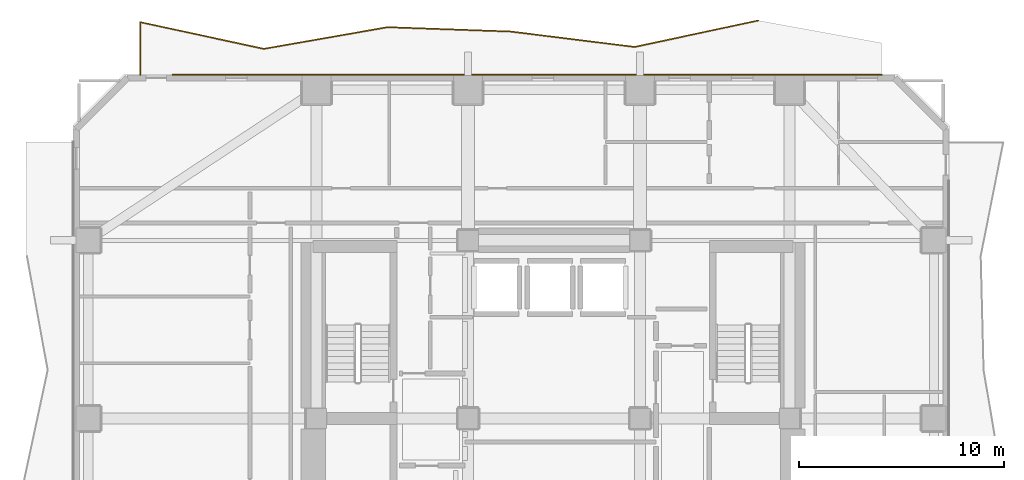
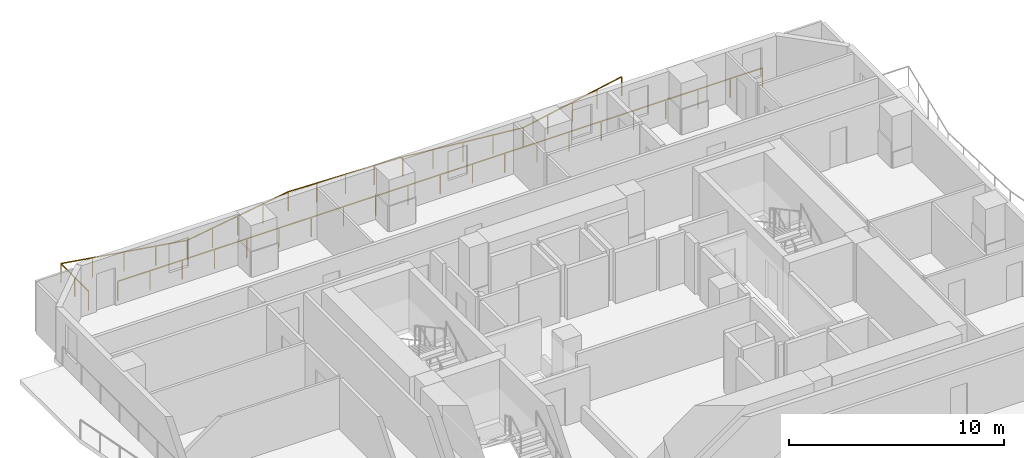
# One storey, part 10 of 10: 2 railings.
"""IFC4 building model written with IfcOpenShell, lengths in metres."""

from ifc_helpers import new_model, si_unit, direction, frame, origin, origin_2d, place, context, subcontext, project, spatial, rectangle, extrude, material, type_object, element, save


model = new_model("IFC4")

# Units and contexts
model_context = context("Model", 3, precision=1e-05, world=origin(), true_north=direction((0.0, 1.0)))
body_context = subcontext(model_context, "Body", "Model", "MODEL_VIEW")
ifc_project = project(units=[si_unit("LENGTHUNIT", "METRE"), si_unit("AREAUNIT", "SQUARE_METRE"), si_unit("VOLUMEUNIT", "CUBIC_METRE"), si_unit("PLANEANGLEUNIT", "RADIAN"), si_unit("MASSUNIT", "GRAM", prefix="KILO")], contexts=[model_context])

# Site, building, storey
site_placement = place(None, origin())
site = spatial("IfcSite", under=ifc_project, at=site_placement, CompositionType="ELEMENT")
building_placement = place(site_placement, origin())
building = spatial("IfcBuilding", under=site, at=building_placement, Name="Solanera Arch Residences", CompositionType="ELEMENT")
storey_placement = place(building_placement, frame((0.0, 0.0, 38.60009765625)))
storey = spatial("IfcBuildingStorey", under=building, at=storey_placement, Name="L10", CompositionType="ELEMENT", Elevation=38.60009765625)

# Railings
ifc_material = material(Name="Steel S355 (ASTM A992 / A572 Grade 50)", Category="steel")
railing_type = type_object("IfcRailingType", Name="Balustrade Railing BL-1100", PredefinedType="BALUSTRADE", material=ifc_material)
railing_1_placement = place(storey_placement, frame((34.967041015625, 50.135986328125, 0.0)))
element("IfcRailing", 1, at=railing_1_placement, inside=storey, type_object=railing_type, Name="L10 N Balcony Balustrade 1", PredefinedType="BALUSTRADE", context=body_context, shape_type="SweptSolid", body=[
    extrude(rectangle(XDim=0.048095703125, YDim=0.048095703125, at=origin_2d()), frame((0.0, 0.0, 1.09619140625), z_axis=(-0.977867794665, -0.209223746639, 0.0), x_axis=(0.209223746639, -0.977867794665, 0.0)), (0.0, 0.0, 1.0), 6.17041015625),
    extrude(rectangle(XDim=0.048095703125, YDim=0.048095703125, at=origin_2d()), frame((-6.033935546875, -1.291015625, 1.09619140625), z_axis=(-0.99232229283, 0.123678887258, 0.0), x_axis=(-0.123678887258, -0.99232229283, 0.0)), (0.0, 0.0, 1.0), 6.079833984375),
    extrude(rectangle(XDim=0.048095703125, YDim=0.048095703125, at=origin_2d()), frame((-12.067138671875, -0.5390625, 1.09619140625), z_axis=(-0.999370814766, 0.03546793754, 0.0), x_axis=(-0.03546793754, -0.999370814766, 0.0)), (0.0, 0.0, 1.0), 6.036865234375),
    extrude(rectangle(XDim=0.048095703125, YDim=0.048095703125, at=origin_2d()), frame((-18.10009765625, -0.324951171875, 1.09619140625), z_axis=(-0.98494321787, -0.172878158168, 0.0), x_axis=(0.172878158168, -0.98494321787, 0.0)), (0.0, 0.0, 1.0), 6.126220703125),
    extrude(rectangle(XDim=0.048095703125, YDim=0.048095703125, at=origin_2d()), frame((-24.134033203125, -1.384033203125, 1.09619140625), z_axis=(-0.977462501117, 0.211109116121, 0.0), x_axis=(-0.211109116121, -0.977462501117, 0.0)), (0.0, 0.0, 1.0), 6.172119140625),
    extrude(rectangle(XDim=0.048095703125, YDim=0.048095703125, at=origin_2d()), frame((-30.1669921875, -0.0810546875, 1.09619140625), z_axis=(0.0, -1.0, 0.0), x_axis=(1.0, 0.0, 0.0)), (0.0, 0.0, 1.0), 2.574951171875),
    extrude(rectangle(XDim=0.0419921875, YDim=0.0419921875, at=origin_2d()), origin(), (0.0, 0.0, 1.0), 1.072021484375),
    extrude(rectangle(XDim=0.0419921875, YDim=0.0419921875, at=origin_2d()), frame((-1.508544921875, -0.32275390625, 0.0)), (0.0, 0.0, 1.0), 1.072021484375),
    extrude(rectangle(XDim=0.0419921875, YDim=0.0419921875, at=origin_2d()), frame((-3.01708984375, -0.6455078125, 0.0)), (0.0, 0.0, 1.0), 1.072021484375),
    extrude(rectangle(XDim=0.0419921875, YDim=0.0419921875, at=origin_2d()), frame((-4.525390625, -0.96826171875, 0.0)), (0.0, 0.0, 1.0), 1.072021484375),
    extrude(rectangle(XDim=0.0419921875, YDim=0.0419921875, at=origin_2d()), frame((-6.033935546875, -1.291015625, 0.0)), (0.0, 0.0, 1.0), 1.072021484375),
    extrude(rectangle(XDim=0.0419921875, YDim=0.0419921875, at=origin_2d()), frame((-7.542236328125, -1.10302734375, 0.0)), (0.0, 0.0, 1.0), 1.072021484375),
    extrude(rectangle(XDim=0.0419921875, YDim=0.0419921875, at=origin_2d()), frame((-9.050537109375, -0.9150390625, 0.0)), (0.0, 0.0, 1.0), 1.072021484375),
    extrude(rectangle(XDim=0.0419921875, YDim=0.0419921875, at=origin_2d()), frame((-10.558837890625, -0.72705078125, 0.0)), (0.0, 0.0, 1.0), 1.072021484375),
    extrude(rectangle(XDim=0.0419921875, YDim=0.0419921875, at=origin_2d()), frame((-12.067138671875, -0.5390625, 0.0)), (0.0, 0.0, 1.0), 1.072021484375),
    extrude(rectangle(XDim=0.0419921875, YDim=0.0419921875, at=origin_2d()), frame((-13.575439453125, -0.485595703125, 0.0)), (0.0, 0.0, 1.0), 1.072021484375),
    extrude(rectangle(XDim=0.0419921875, YDim=0.0419921875, at=origin_2d()), frame((-15.08349609375, -0.43212890625, 0.0)), (0.0, 0.0, 1.0), 1.072021484375),
    extrude(rectangle(XDim=0.0419921875, YDim=0.0419921875, at=origin_2d()), frame((-16.591796875, -0.37841796875, 0.0)), (0.0, 0.0, 1.0), 1.072021484375),
    extrude(rectangle(XDim=0.0419921875, YDim=0.0419921875, at=origin_2d()), frame((-18.10009765625, -0.324951171875, 0.0)), (0.0, 0.0, 1.0), 1.072021484375),
    extrude(rectangle(XDim=0.0419921875, YDim=0.0419921875, at=origin_2d()), frame((-19.608642578125, -0.58984375, 0.0)), (0.0, 0.0, 1.0), 1.072021484375),
    extrude(rectangle(XDim=0.0419921875, YDim=0.0419921875, at=origin_2d()), frame((-21.1171875, -0.8544921875, 0.0)), (0.0, 0.0, 1.0), 1.072021484375),
    extrude(rectangle(XDim=0.0419921875, YDim=0.0419921875, at=origin_2d()), frame((-22.62548828125, -1.119140625, 0.0)), (0.0, 0.0, 1.0), 1.072021484375),
    extrude(rectangle(XDim=0.0419921875, YDim=0.0419921875, at=origin_2d()), frame((-24.134033203125, -1.384033203125, 0.0)), (0.0, 0.0, 1.0), 1.072021484375),
    extrude(rectangle(XDim=0.0419921875, YDim=0.0419921875, at=origin_2d()), frame((-25.642333984375, -1.058349609375, 0.0)), (0.0, 0.0, 1.0), 1.072021484375),
    extrude(rectangle(XDim=0.0419921875, YDim=0.0419921875, at=origin_2d()), frame((-27.150390625, -0.732421875, 0.0)), (0.0, 0.0, 1.0), 1.072021484375),
    extrude(rectangle(XDim=0.0419921875, YDim=0.0419921875, at=origin_2d()), frame((-28.65869140625, -0.40673828125, 0.0)), (0.0, 0.0, 1.0), 1.072021484375),
    extrude(rectangle(XDim=0.0419921875, YDim=0.0419921875, at=origin_2d()), frame((-30.1669921875, -0.0810546875, 0.0)), (0.0, 0.0, 1.0), 1.072021484375),
    extrude(rectangle(XDim=0.0419921875, YDim=0.0419921875, at=origin_2d()), frame((-30.1669921875, -1.36865234375, 0.0)), (0.0, 0.0, 1.0), 1.072021484375),
    extrude(rectangle(XDim=0.0419921875, YDim=0.0419921875, at=origin_2d()), frame((-30.1669921875, -2.656005859375, 0.0)), (0.0, 0.0, 1.0), 1.072021484375),
])
railing_2_placement = place(storey_placement, frame((6.365966796875, 47.47998046875, 0.0)))
element("IfcRailing", 2, at=railing_2_placement, inside=storey, type_object=railing_type, Name="L10 N Balcony Balustrade 2", PredefinedType="BALUSTRADE", context=body_context, shape_type="SweptSolid", body=[
    extrude(rectangle(XDim=0.048095703125, YDim=0.048095703125, at=origin_2d()), frame((0.0, 0.0, 1.09619140625), z_axis=(1.0, 0.0, 0.0), x_axis=(0.0, 1.0, 0.0)), (0.0, 0.0, 1.0), 34.634033203125),
    extrude(rectangle(XDim=0.0419921875, YDim=0.0419921875, at=origin_2d()), origin(), (0.0, 0.0, 1.0), 1.072021484375),
    extrude(rectangle(XDim=0.0419921875, YDim=0.0419921875, at=origin_2d()), frame((1.731689453125, 0.0, 0.0)), (0.0, 0.0, 1.0), 1.072021484375),
    extrude(rectangle(XDim=0.0419921875, YDim=0.0419921875, at=origin_2d()), frame((3.46337890625, 0.0, 0.0)), (0.0, 0.0, 1.0), 1.072021484375),
    extrude(rectangle(XDim=0.0419921875, YDim=0.0419921875, at=origin_2d()), frame((5.195068359375, 0.0, 0.0)), (0.0, 0.0, 1.0), 1.072021484375),
    extrude(rectangle(XDim=0.0419921875, YDim=0.0419921875, at=origin_2d()), frame((6.9267578125, 0.0, 0.0)), (0.0, 0.0, 1.0), 1.072021484375),
    extrude(rectangle(XDim=0.0419921875, YDim=0.0419921875, at=origin_2d()), frame((8.658447265625, 0.0, 0.0)), (0.0, 0.0, 1.0), 1.072021484375),
    extrude(rectangle(XDim=0.0419921875, YDim=0.0419921875, at=origin_2d()), frame((10.39013671875, 0.0, 0.0)), (0.0, 0.0, 1.0), 1.072021484375),
    extrude(rectangle(XDim=0.0419921875, YDim=0.0419921875, at=origin_2d()), frame((12.121826171875, 0.0, 0.0)), (0.0, 0.0, 1.0), 1.072021484375),
    extrude(rectangle(XDim=0.0419921875, YDim=0.0419921875, at=origin_2d()), frame((13.853515625, 0.0, 0.0)), (0.0, 0.0, 1.0), 1.072021484375),
    extrude(rectangle(XDim=0.0419921875, YDim=0.0419921875, at=origin_2d()), frame((15.585205078125, 0.0, 0.0)), (0.0, 0.0, 1.0), 1.072021484375),
    extrude(rectangle(XDim=0.0419921875, YDim=0.0419921875, at=origin_2d()), frame((17.31689453125, 0.0, 0.0)), (0.0, 0.0, 1.0), 1.072021484375),
    extrude(rectangle(XDim=0.0419921875, YDim=0.0419921875, at=origin_2d()), frame((19.048828125, 0.0, 0.0)), (0.0, 0.0, 1.0), 1.072021484375),
    extrude(rectangle(XDim=0.0419921875, YDim=0.0419921875, at=origin_2d()), frame((20.780517578125, 0.0, 0.0)), (0.0, 0.0, 1.0), 1.072021484375),
    extrude(rectangle(XDim=0.0419921875, YDim=0.0419921875, at=origin_2d()), frame((22.51220703125, 0.0, 0.0)), (0.0, 0.0, 1.0), 1.072021484375),
    extrude(rectangle(XDim=0.0419921875, YDim=0.0419921875, at=origin_2d()), frame((24.243896484375, 0.0, 0.0)), (0.0, 0.0, 1.0), 1.072021484375),
    extrude(rectangle(XDim=0.0419921875, YDim=0.0419921875, at=origin_2d()), frame((25.9755859375, 0.0, 0.0)), (0.0, 0.0, 1.0), 1.072021484375),
    extrude(rectangle(XDim=0.0419921875, YDim=0.0419921875, at=origin_2d()), frame((27.707275390625, 0.0, 0.0)), (0.0, 0.0, 1.0), 1.072021484375),
    extrude(rectangle(XDim=0.0419921875, YDim=0.0419921875, at=origin_2d()), frame((29.43896484375, 0.0, 0.0)), (0.0, 0.0, 1.0), 1.072021484375),
    extrude(rectangle(XDim=0.0419921875, YDim=0.0419921875, at=origin_2d()), frame((31.170654296875, 0.0, 0.0)), (0.0, 0.0, 1.0), 1.072021484375),
    extrude(rectangle(XDim=0.0419921875, YDim=0.0419921875, at=origin_2d()), frame((32.90234375, 0.0, 0.0)), (0.0, 0.0, 1.0), 1.072021484375),
    extrude(rectangle(XDim=0.0419921875, YDim=0.0419921875, at=origin_2d()), frame((34.634033203125, 0.0, 0.0)), (0.0, 0.0, 1.0), 1.072021484375),
])

save(model, "model.ifc")
